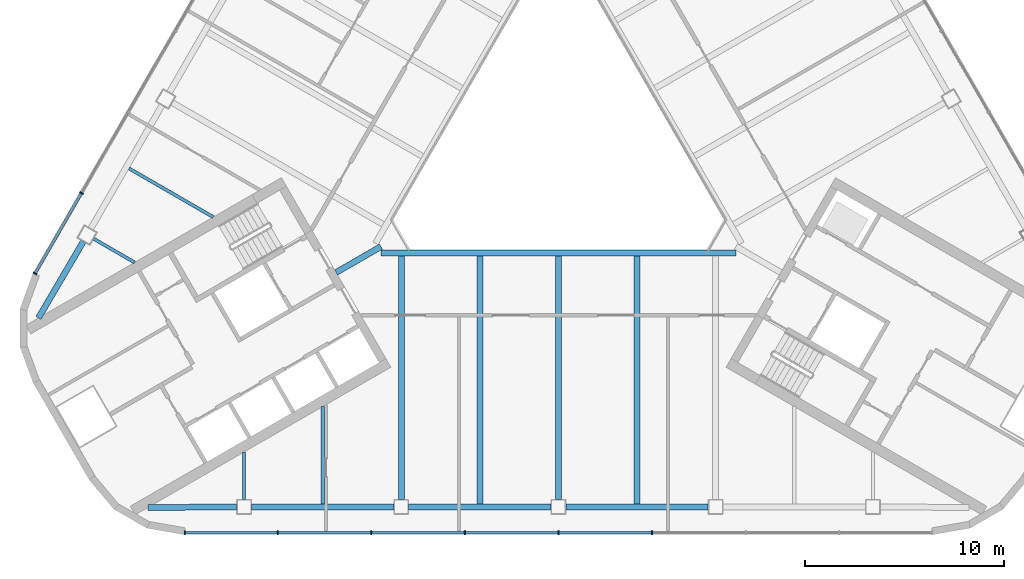
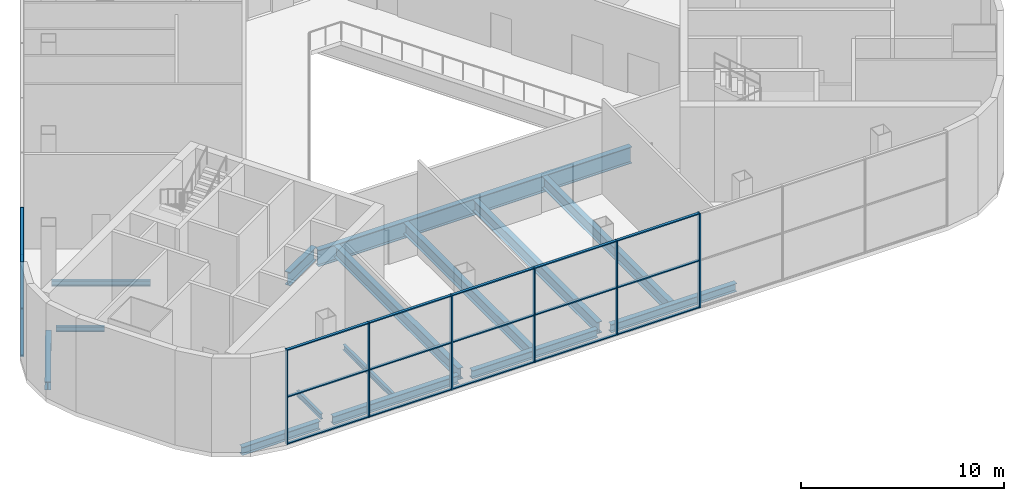
# One storey, part 2 of 14: 26 members, 15 beams, 2 elements without a shape of their own.
"""IFC4 building model written with IfcOpenShell, lengths in metres."""

from ifc_helpers import new_model, si_unit, direction, frame, origin, origin_2d, place, context, subcontext, project, spatial, rectangle, i_section, extrude, material, layer, layer_set, material_profile, profile_set, type_object, element, aggregate, save


model = new_model("IFC4")

# Units and contexts
model_context = context("Model", 3, precision=1e-05, world=origin(), true_north=direction((0.0, 1.0)))
body_context = subcontext(model_context, "Body", "Model", "MODEL_VIEW")
ifc_project = project(units=[si_unit("LENGTHUNIT", "METRE"), si_unit("AREAUNIT", "SQUARE_METRE"), si_unit("VOLUMEUNIT", "CUBIC_METRE"), si_unit("PLANEANGLEUNIT", "RADIAN"), si_unit("MASSUNIT", "GRAM", prefix="KILO")], contexts=[model_context])

# Site, building, storey
site_placement = place(None, origin())
site = spatial("IfcSite", under=ifc_project, at=site_placement, CompositionType="ELEMENT")
building_placement = place(site_placement, origin())
building = spatial("IfcBuilding", under=site, at=building_placement, Name="Apuvela Tower Hotel", CompositionType="ELEMENT")
storey_placement = place(building_placement, frame((0.0, 0.0, 231.699951171875)))
storey = spatial("IfcBuildingStorey", under=building, at=storey_placement, Name="L57", CompositionType="ELEMENT", Elevation=231.699951171875)

# Curtain wall, members
ifc_material_1 = material(Name="Aluminium 6063-T6, dark bronze anodised", Category="aluminium")
ifc_layer = layer(ifc_material_1, 0.199951171875)
ifc_layer_set = layer_set([ifc_layer], Name="ENV-CW-S")
curtain_wall_type = type_object("IfcCurtainWallType", Name="ENV-CW-S", PredefinedType="NOTDEFINED", material=ifc_layer_set)
curtain_wall_1_placement = place(storey_placement, origin())
curtain_wall_1 = element("IfcCurtainWall", 1, at=curtain_wall_1_placement, inside=storey, type_object=curtain_wall_type, Name="Curtain wall CW-S S L57", PredefinedType="NOTDEFINED")
ifc_material_profile_1 = material_profile(ifc_material_1, rectangle(XDim=0.199951171875, YDim=0.06494140625, at=origin_2d()), Name="AL 65x200")
ifc_profile_set_1 = profile_set([ifc_material_profile_1], Name="Aluminium 6063-T6, dark bronze anodised")
member_type_1 = type_object("IfcMemberType", Name="ENV-MULLION-65x200", PredefinedType="MULLION", material=ifc_profile_set_1)
member_1_placement = place(storey_placement, frame((-18.783203125, -19.530029296875, 0.0), z_axis=(0.0, 0.0, 1.0), x_axis=(0.0, 1.0, 0.0)))
member_1 = element("IfcMember", 2, at=member_1_placement, type_object=member_type_1, Name="CW-S mullion 1", PredefinedType="MULLION", context=body_context, shape_type="SweptSolid", body=[
    extrude(rectangle(XDim=0.199951171875, YDim=0.06494140625, at=origin_2d()), origin(), (0.0, 0.0, 1.0), 5.699951171875),
])
member_2_placement = place(storey_placement, frame((-14.11181640625, -19.530029296875, 0.0), z_axis=(0.0, 0.0, 1.0), x_axis=(0.0, 1.0, 0.0)))
member_2 = element("IfcMember", 3, at=member_2_placement, type_object=member_type_1, Name="CW-S mullion 2", PredefinedType="MULLION", context=body_context, shape_type="SweptSolid", body=[
    extrude(rectangle(XDim=0.199951171875, YDim=0.06494140625, at=origin_2d()), origin(), (0.0, 0.0, 1.0), 5.699951171875),
])
member_3_placement = place(storey_placement, frame((-9.407958984375, -19.530029296875, 0.0), z_axis=(0.0, 0.0, 1.0), x_axis=(0.0, 1.0, 0.0)))
member_3 = element("IfcMember", 4, at=member_3_placement, type_object=member_type_1, Name="CW-S mullion 3", PredefinedType="MULLION", context=body_context, shape_type="SweptSolid", body=[
    extrude(rectangle(XDim=0.199951171875, YDim=0.06494140625, at=origin_2d()), origin(), (0.0, 0.0, 1.0), 5.699951171875),
])
member_4_placement = place(storey_placement, frame((-4.703857421875, -19.530029296875, 0.0), z_axis=(0.0, 0.0, 1.0), x_axis=(0.0, 1.0, 0.0)))
member_4 = element("IfcMember", 5, at=member_4_placement, type_object=member_type_1, Name="CW-S mullion 4", PredefinedType="MULLION", context=body_context, shape_type="SweptSolid", body=[
    extrude(rectangle(XDim=0.199951171875, YDim=0.06494140625, at=origin_2d()), origin(), (0.0, 0.0, 1.0), 5.699951171875),
])
member_5_placement = place(storey_placement, frame((0.0, -19.530029296875, 0.0), z_axis=(0.0, 0.0, 1.0), x_axis=(0.0, 1.0, 0.0)))
member_5 = element("IfcMember", 6, at=member_5_placement, type_object=member_type_1, Name="CW-S mullion 5", PredefinedType="MULLION", context=body_context, shape_type="SweptSolid", body=[
    extrude(rectangle(XDim=0.199951171875, YDim=0.06494140625, at=origin_2d()), origin(), (0.0, 0.0, 1.0), 5.699951171875),
])
member_6_placement = place(storey_placement, frame((4.703857421875, -19.530029296875, 0.0), z_axis=(0.0, 0.0, 1.0), x_axis=(0.0, 1.0, 0.0)))
member_6 = element("IfcMember", 7, at=member_6_placement, type_object=member_type_1, Name="CW-S mullion 6", PredefinedType="MULLION", context=body_context, shape_type="SweptSolid", body=[
    extrude(rectangle(XDim=0.199951171875, YDim=0.06494140625, at=origin_2d()), origin(), (0.0, 0.0, 1.0), 5.699951171875),
])

curtain_wall_2_placement = place(storey_placement, origin())
curtain_wall_2 = element("IfcCurtainWall", 8, at=curtain_wall_2_placement, inside=storey, type_object=curtain_wall_type, Name="Curtain wall CW-S NW L57", PredefinedType="NOTDEFINED")
member_7_placement = place(storey_placement, frame((-23.969482421875, -2.456298828125, 0.0), z_axis=(0.0, 0.0, 1.0), x_axis=(0.866025924721, -0.49999909771, 0.0)))
member_7 = element("IfcMember", 9, at=member_7_placement, type_object=member_type_1, Name="CW-S mullion 8", PredefinedType="MULLION", context=body_context, shape_type="SweptSolid", body=[
    extrude(rectangle(XDim=0.199951171875, YDim=0.06494140625, at=origin_2d()), origin(), (0.0, 0.0, 1.0), 5.699951171875),
])
member_8_placement = place(storey_placement, frame((-26.30517578125, -6.501953125, 0.0), z_axis=(0.0, 0.0, 1.0), x_axis=(0.866025924721, -0.49999909771, 0.0)))
member_8 = element("IfcMember", 10, at=member_8_placement, type_object=member_type_1, Name="CW-S mullion 9", PredefinedType="MULLION", context=body_context, shape_type="SweptSolid", body=[
    extrude(rectangle(XDim=0.199951171875, YDim=0.06494140625, at=origin_2d()), origin(), (0.0, 0.0, 1.0), 5.699951171875),
])

# Member
ifc_material_profile_2 = material_profile(ifc_material_1, rectangle(XDim=0.14990234375, YDim=0.06494140625, at=origin_2d()), Name="AL 65x150 transom")
ifc_profile_set_2 = profile_set([ifc_material_profile_2], Name="Aluminium 6063-T6, dark bronze anodised")
member_type_2 = type_object("IfcMemberType", Name="ENV-TRANSOM-65x150", PredefinedType="USERDEFINED", material=ifc_profile_set_2)
member_9_placement = place(storey_placement, frame((-18.750732421875, -19.530029296875, 0.032470703125), z_axis=(1.0, 0.0, 0.0), x_axis=(0.0, 1.0, 0.0)))
member_9 = element("IfcMember", 11, at=member_9_placement, type_object=member_type_2, Name="CW-S transom 1.1", ObjectType="TRANSOM", PredefinedType="USERDEFINED", context=body_context, shape_type="SweptSolid", body=[
    extrude(rectangle(XDim=0.14990234375, YDim=0.06494140625, at=origin_2d()), origin(), (0.0, 0.0, 1.0), 4.6064453125),
])

member_10_placement = place(storey_placement, frame((-18.750732421875, -19.530029296875, 2.85009765625), z_axis=(1.0, 0.0, 0.0), x_axis=(0.0, 1.0, 0.0)))
member_10 = element("IfcMember", 12, at=member_10_placement, type_object=member_type_2, Name="CW-S transom 1.2", ObjectType="TRANSOM", PredefinedType="USERDEFINED", context=body_context, shape_type="SweptSolid", body=[
    extrude(rectangle(XDim=0.14990234375, YDim=0.06494140625, at=origin_2d()), origin(), (0.0, 0.0, 1.0), 4.6064453125),
])

member_11_placement = place(storey_placement, frame((-18.750732421875, -19.530029296875, 5.66748046875), z_axis=(1.0, 0.0, 0.0), x_axis=(0.0, 1.0, 0.0)))
member_11 = element("IfcMember", 13, at=member_11_placement, type_object=member_type_2, Name="CW-S transom 1.3", ObjectType="TRANSOM", PredefinedType="USERDEFINED", context=body_context, shape_type="SweptSolid", body=[
    extrude(rectangle(XDim=0.14990234375, YDim=0.06494140625, at=origin_2d()), origin(), (0.0, 0.0, 1.0), 4.6064453125),
])

member_12_placement = place(storey_placement, frame((-14.079345703125, -19.530029296875, 0.032470703125), z_axis=(1.0, 0.0, 0.0), x_axis=(0.0, 1.0, 0.0)))
member_12 = element("IfcMember", 14, at=member_12_placement, type_object=member_type_2, Name="CW-S transom 2.1", ObjectType="TRANSOM", PredefinedType="USERDEFINED", context=body_context, shape_type="SweptSolid", body=[
    extrude(rectangle(XDim=0.14990234375, YDim=0.06494140625, at=origin_2d()), origin(), (0.0, 0.0, 1.0), 4.638916015625),
])

member_13_placement = place(storey_placement, frame((-14.079345703125, -19.530029296875, 2.85009765625), z_axis=(1.0, 0.0, 0.0), x_axis=(0.0, 1.0, 0.0)))
member_13 = element("IfcMember", 15, at=member_13_placement, type_object=member_type_2, Name="CW-S transom 2.2", ObjectType="TRANSOM", PredefinedType="USERDEFINED", context=body_context, shape_type="SweptSolid", body=[
    extrude(rectangle(XDim=0.14990234375, YDim=0.06494140625, at=origin_2d()), origin(), (0.0, 0.0, 1.0), 4.638916015625),
])

member_14_placement = place(storey_placement, frame((-14.079345703125, -19.530029296875, 5.66748046875), z_axis=(1.0, 0.0, 0.0), x_axis=(0.0, 1.0, 0.0)))
member_14 = element("IfcMember", 16, at=member_14_placement, type_object=member_type_2, Name="CW-S transom 2.3", ObjectType="TRANSOM", PredefinedType="USERDEFINED", context=body_context, shape_type="SweptSolid", body=[
    extrude(rectangle(XDim=0.14990234375, YDim=0.06494140625, at=origin_2d()), origin(), (0.0, 0.0, 1.0), 4.638916015625),
])

member_15_placement = place(storey_placement, frame((-9.37548828125, -19.530029296875, 0.032470703125), z_axis=(1.0, 0.0, 0.0), x_axis=(0.0, 1.0, 0.0)))
member_15 = element("IfcMember", 17, at=member_15_placement, type_object=member_type_2, Name="CW-S transom 3.1", ObjectType="TRANSOM", PredefinedType="USERDEFINED", context=body_context, shape_type="SweptSolid", body=[
    extrude(rectangle(XDim=0.14990234375, YDim=0.06494140625, at=origin_2d()), origin(), (0.0, 0.0, 1.0), 4.63916015625),
])

member_16_placement = place(storey_placement, frame((-9.37548828125, -19.530029296875, 2.85009765625), z_axis=(1.0, 0.0, 0.0), x_axis=(0.0, 1.0, 0.0)))
member_16 = element("IfcMember", 18, at=member_16_placement, type_object=member_type_2, Name="CW-S transom 3.2", ObjectType="TRANSOM", PredefinedType="USERDEFINED", context=body_context, shape_type="SweptSolid", body=[
    extrude(rectangle(XDim=0.14990234375, YDim=0.06494140625, at=origin_2d()), origin(), (0.0, 0.0, 1.0), 4.63916015625),
])

member_17_placement = place(storey_placement, frame((-9.37548828125, -19.530029296875, 5.66748046875), z_axis=(1.0, 0.0, 0.0), x_axis=(0.0, 1.0, 0.0)))
member_17 = element("IfcMember", 19, at=member_17_placement, type_object=member_type_2, Name="CW-S transom 3.3", ObjectType="TRANSOM", PredefinedType="USERDEFINED", context=body_context, shape_type="SweptSolid", body=[
    extrude(rectangle(XDim=0.14990234375, YDim=0.06494140625, at=origin_2d()), origin(), (0.0, 0.0, 1.0), 4.63916015625),
])

member_18_placement = place(storey_placement, frame((-4.67138671875, -19.530029296875, 0.032470703125), z_axis=(1.0, 0.0, 0.0), x_axis=(0.0, 1.0, 0.0)))
member_18 = element("IfcMember", 20, at=member_18_placement, type_object=member_type_2, Name="CW-S transom 4.1", ObjectType="TRANSOM", PredefinedType="USERDEFINED", context=body_context, shape_type="SweptSolid", body=[
    extrude(rectangle(XDim=0.14990234375, YDim=0.06494140625, at=origin_2d()), origin(), (0.0, 0.0, 1.0), 4.638916015625),
])

member_19_placement = place(storey_placement, frame((-4.67138671875, -19.530029296875, 2.85009765625), z_axis=(1.0, 0.0, 0.0), x_axis=(0.0, 1.0, 0.0)))
member_19 = element("IfcMember", 21, at=member_19_placement, type_object=member_type_2, Name="CW-S transom 4.2", ObjectType="TRANSOM", PredefinedType="USERDEFINED", context=body_context, shape_type="SweptSolid", body=[
    extrude(rectangle(XDim=0.14990234375, YDim=0.06494140625, at=origin_2d()), origin(), (0.0, 0.0, 1.0), 4.638916015625),
])

member_20_placement = place(storey_placement, frame((-4.67138671875, -19.530029296875, 5.66748046875), z_axis=(1.0, 0.0, 0.0), x_axis=(0.0, 1.0, 0.0)))
member_20 = element("IfcMember", 22, at=member_20_placement, type_object=member_type_2, Name="CW-S transom 4.3", ObjectType="TRANSOM", PredefinedType="USERDEFINED", context=body_context, shape_type="SweptSolid", body=[
    extrude(rectangle(XDim=0.14990234375, YDim=0.06494140625, at=origin_2d()), origin(), (0.0, 0.0, 1.0), 4.638916015625),
])

member_21_placement = place(storey_placement, frame((0.032470703125, -19.530029296875, 0.032470703125), z_axis=(1.0, 0.0, 0.0), x_axis=(0.0, 1.0, 0.0)))
member_21 = element("IfcMember", 23, at=member_21_placement, type_object=member_type_2, Name="CW-S transom 5.1", ObjectType="TRANSOM", PredefinedType="USERDEFINED", context=body_context, shape_type="SweptSolid", body=[
    extrude(rectangle(XDim=0.14990234375, YDim=0.06494140625, at=origin_2d()), origin(), (0.0, 0.0, 1.0), 4.638916015625),
])

member_22_placement = place(storey_placement, frame((0.032470703125, -19.530029296875, 2.85009765625), z_axis=(1.0, 0.0, 0.0), x_axis=(0.0, 1.0, 0.0)))
member_22 = element("IfcMember", 24, at=member_22_placement, type_object=member_type_2, Name="CW-S transom 5.2", ObjectType="TRANSOM", PredefinedType="USERDEFINED", context=body_context, shape_type="SweptSolid", body=[
    extrude(rectangle(XDim=0.14990234375, YDim=0.06494140625, at=origin_2d()), origin(), (0.0, 0.0, 1.0), 4.638916015625),
])

member_23_placement = place(storey_placement, frame((0.032470703125, -19.530029296875, 5.66748046875), z_axis=(1.0, 0.0, 0.0), x_axis=(0.0, 1.0, 0.0)))
member_23 = element("IfcMember", 25, at=member_23_placement, type_object=member_type_2, Name="CW-S transom 5.3", ObjectType="TRANSOM", PredefinedType="USERDEFINED", context=body_context, shape_type="SweptSolid", body=[
    extrude(rectangle(XDim=0.14990234375, YDim=0.06494140625, at=origin_2d()), origin(), (0.0, 0.0, 1.0), 4.638916015625),
])

aggregate(curtain_wall_1, [member_1, member_2, member_3, member_4, member_5, member_6, member_9, member_10, member_11, member_12, member_13, member_14, member_15, member_16, member_17, member_18, member_19, member_20, member_21, member_22, member_23])

member_24_placement = place(storey_placement, frame((-23.985595703125, -2.484375, 0.032470703125), z_axis=(-0.500003839917, -0.866023186796, 0.0), x_axis=(0.866023186796, -0.500003839917, 0.0)))
member_24 = element("IfcMember", 26, at=member_24_placement, type_object=member_type_2, Name="CW-S transom 8.1", ObjectType="TRANSOM", PredefinedType="USERDEFINED", context=body_context, shape_type="SweptSolid", body=[
    extrude(rectangle(XDim=0.14990234375, YDim=0.06494140625, at=origin_2d()), origin(), (0.0, 0.0, 1.0), 4.6064453125),
])

member_25_placement = place(storey_placement, frame((-23.985595703125, -2.484375, 2.85009765625), z_axis=(-0.500003839917, -0.866023186796, 0.0), x_axis=(0.866023186796, -0.500003839917, 0.0)))
member_25 = element("IfcMember", 27, at=member_25_placement, type_object=member_type_2, Name="CW-S transom 8.2", ObjectType="TRANSOM", PredefinedType="USERDEFINED", context=body_context, shape_type="SweptSolid", body=[
    extrude(rectangle(XDim=0.14990234375, YDim=0.06494140625, at=origin_2d()), origin(), (0.0, 0.0, 1.0), 4.6064453125),
])

member_26_placement = place(storey_placement, frame((-23.985595703125, -2.484375, 5.66748046875), z_axis=(-0.500003839917, -0.866023186796, 0.0), x_axis=(0.866023186796, -0.500003839917, 0.0)))
member_26 = element("IfcMember", 28, at=member_26_placement, type_object=member_type_2, Name="CW-S transom 8.3", ObjectType="TRANSOM", PredefinedType="USERDEFINED", context=body_context, shape_type="SweptSolid", body=[
    extrude(rectangle(XDim=0.14990234375, YDim=0.06494140625, at=origin_2d()), origin(), (0.0, 0.0, 1.0), 4.6064453125),
])

aggregate(curtain_wall_2, [member_7, member_8, member_24, member_25, member_26])

# Beams
ifc_material_2 = material(Name="Steel S355", Category="steel")
ifc_material_profile_3 = material_profile(ifc_material_2, i_section(OverallWidth=0.300048828125, OverallDepth=0.68994140625, WebThickness=0.014404296875, FlangeThickness=0.027099609375, at=origin_2d()), Name="HE 700 A")
ifc_profile_set_3 = profile_set([ifc_material_profile_3], Name="Steel S355")
beam_type_1 = type_object("IfcBeamType", Name="STR-B floor beam HE 700 A", PredefinedType="BEAM", material=ifc_profile_set_3)
beam_1_placement = place(storey_placement, frame((-7.89990234375, -17.85498046875, -0.594970703125), z_axis=(0.0, 1.0, 0.0), x_axis=(-1.0, 0.0, 0.0)))
element("IfcBeam", 29, at=beam_1_placement, inside=storey, type_object=beam_type_1, Name="Floor beam B6 S3", PredefinedType="BEAM", context=body_context, shape_type="SweptSolid", body=[
    extrude(i_section(OverallWidth=0.300048828125, OverallDepth=0.68994140625, WebThickness=0.014404296875, FlangeThickness=0.027099609375, at=origin_2d()), origin(), (0.0, 0.0, 1.0), 12.23486328125),
])
beam_2_placement = place(storey_placement, frame((-3.949951171875, -18.080078125, -0.594970703125), z_axis=(0.0, 1.0, 0.0), x_axis=(-1.0, 0.0, 0.0)))
element("IfcBeam", 30, at=beam_2_placement, inside=storey, type_object=beam_type_1, Name="Floor beam B6 S4", PredefinedType="BEAM", context=body_context, shape_type="SweptSolid", body=[
    extrude(i_section(OverallWidth=0.300048828125, OverallDepth=0.68994140625, WebThickness=0.014404296875, FlangeThickness=0.027099609375, at=origin_2d()), origin(), (0.0, 0.0, 1.0), 12.4599609375),
])
beam_3_placement = place(storey_placement, frame((0.0, -17.85498046875, -0.594970703125), z_axis=(0.0, 1.0, 0.0), x_axis=(-1.0, 0.0, 0.0)))
element("IfcBeam", 31, at=beam_3_placement, inside=storey, type_object=beam_type_1, Name="Floor beam B6 S5", PredefinedType="BEAM", context=body_context, shape_type="SweptSolid", body=[
    extrude(i_section(OverallWidth=0.300048828125, OverallDepth=0.68994140625, WebThickness=0.014404296875, FlangeThickness=0.027099609375, at=origin_2d()), origin(), (0.0, 0.0, 1.0), 12.23486328125),
])
beam_4_placement = place(storey_placement, frame((3.949951171875, -18.080078125, -0.594970703125), z_axis=(0.0, 1.0, 0.0), x_axis=(-1.0, 0.0, 0.0)))
element("IfcBeam", 32, at=beam_4_placement, inside=storey, type_object=beam_type_1, Name="Floor beam B6 S6", PredefinedType="BEAM", context=body_context, shape_type="SweptSolid", body=[
    extrude(i_section(OverallWidth=0.300048828125, OverallDepth=0.68994140625, WebThickness=0.014404296875, FlangeThickness=0.027099609375, at=origin_2d()), origin(), (0.0, 0.0, 1.0), 12.4599609375),
])
ifc_material_profile_4 = material_profile(ifc_material_2, i_section(OverallWidth=0.159912109375, OverallDepth=0.330078125, WebThickness=0.007568359375, FlangeThickness=0.011474609375, at=origin_2d()), Name="IPE 330")
ifc_profile_set_4 = profile_set([ifc_material_profile_4], Name="Steel S355")
beam_type_2 = type_object("IfcBeamType", Name="STR-B floor beam IPE 330", PredefinedType="BEAM", material=ifc_profile_set_4)
beam_5_placement = place(storey_placement, frame((-21.582763671875, -1.222412109375, -0.4150390625), z_axis=(0.866015056278, -0.500017921979, 0.0), x_axis=(0.500017921979, 0.866015056278, 0.0)))
element("IfcBeam", 33, at=beam_5_placement, inside=storey, type_object=beam_type_2, Name="Floor beam B1 NW8", PredefinedType="BEAM", context=body_context, shape_type="SweptSolid", body=[
    extrude(i_section(OverallWidth=0.159912109375, OverallDepth=0.330078125, WebThickness=0.007568359375, FlangeThickness=0.011474609375, at=origin_2d()), origin(), (0.0, 0.0, 1.0), 4.887451171875),
])
for number, where, z_axis, x_axis, name in (
    (34, (-23.36279296875, -4.755615234375, -0.4150390625), (0.865982457891, -0.500074377092, 0.0), (0.500074377092, 0.865982457891, 0.0), "Floor beam B1 NW9"),
    (35, (-15.800048828125, -17.85498046875, -0.4150390625), (0.0, 1.0, 0.0), (-1.0, 0.0, 0.0), "Floor beam B1 S1"),
):
    element("IfcBeam", number, at=place(storey_placement, frame(where, z_axis=z_axis, x_axis=x_axis)), inside=storey, type_object=beam_type_2, Name=name, PredefinedType="BEAM", context=body_context, shape_type="SweptSolid", body=[
        extrude(i_section(OverallWidth=0.159912109375, OverallDepth=0.330078125, WebThickness=0.007568359375, FlangeThickness=0.011474609375, at=origin_2d()), origin(), (0.0, 0.0, 1.0), 2.382080078125),
    ])
beam_6_placement = place(storey_placement, frame((-11.85009765625, -18.080078125, -0.4150390625), z_axis=(0.0, 1.0, 0.0), x_axis=(-1.0, 0.0, 0.0)))
element("IfcBeam", 36, at=beam_6_placement, inside=storey, type_object=beam_type_2, Name="Floor beam B1 S2", PredefinedType="BEAM", context=body_context, shape_type="SweptSolid", body=[
    extrude(i_section(OverallWidth=0.159912109375, OverallDepth=0.330078125, WebThickness=0.007568359375, FlangeThickness=0.011474609375, at=origin_2d()), origin(), (0.0, 0.0, 1.0), 4.8876953125),
])
ifc_material_profile_5 = material_profile(ifc_material_2, i_section(OverallWidth=0.300048828125, OverallDepth=1.0, WebThickness=0.01904296875, FlangeThickness=0.035888671875, at=origin_2d()), Name="HE 1000 B")
ifc_profile_set_5 = profile_set([ifc_material_profile_5], Name="Steel S355")
beam_type_3 = type_object("IfcBeamType", Name="STR-G atrium ring girder HE 1000 B", PredefinedType="BEAM", material=ifc_profile_set_5)
beam_7_placement = place(storey_placement, frame((-8.91455078125, -5.469970703125, -0.75), z_axis=(1.0, 0.0, 0.0), x_axis=(0.0, 1.0, 0.0)))
element("IfcBeam", 37, at=beam_7_placement, inside=storey, type_object=beam_type_3, Name="Atrium ring girder G2 SW-SE", PredefinedType="BEAM", context=body_context, shape_type="SweptSolid", body=[
    extrude(i_section(OverallWidth=0.300048828125, OverallDepth=1.0, WebThickness=0.01904296875, FlangeThickness=0.035888671875, at=origin_2d()), origin(), (0.0, 0.0, 1.0), 17.8291015625),
])
ifc_material_profile_6 = material_profile(ifc_material_2, i_section(OverallWidth=0.300048828125, OverallDepth=0.800048828125, WebThickness=0.017578125, FlangeThickness=0.032958984375, at=origin_2d()), Name="HE 800 B")
ifc_profile_set_6 = profile_set([ifc_material_profile_6], Name="Steel S355")
beam_type_4 = type_object("IfcBeamType", Name="STR-GT core tie beam HE 800 B", PredefinedType="BEAM", material=ifc_profile_set_6)
beam_8_placement = place(storey_placement, frame((-11.171630859375, -6.449951171875, -0.64990234375), z_axis=(0.865997922154, 0.500047596559, 0.0), x_axis=(-0.500047596559, 0.865997922154, 0.0)))
element("IfcBeam", 38, at=beam_8_placement, inside=storey, type_object=beam_type_4, Name="Core tie beam GT1 SW", PredefinedType="BEAM", context=body_context, shape_type="SweptSolid", body=[
    extrude(i_section(OverallWidth=0.300048828125, OverallDepth=0.800048828125, WebThickness=0.017578125, FlangeThickness=0.032958984375, at=origin_2d()), origin(), (0.0, 0.0, 1.0), 2.599853515625),
])
ifc_material_profile_7 = material_profile(ifc_material_2, i_section(OverallWidth=0.300048828125, OverallDepth=0.489990234375, WebThickness=0.011962890625, FlangeThickness=0.02294921875, at=origin_2d()), Name="HE 500 A")
ifc_profile_set_7 = profile_set([ifc_material_profile_7], Name="Steel S355")
beam_type_5 = type_object("IfcBeamType", Name="STR-SB spandrel beam HE 500 A", PredefinedType="SPANDREL", material=ifc_profile_set_7)
beam_9_placement = place(storey_placement, frame((-15.425048828125, -18.22998046875, -0.494873046875), z_axis=(1.0, 0.0, 0.0), x_axis=(0.0, 1.0, 0.0)))
element("IfcBeam", 39, at=beam_9_placement, inside=storey, type_object=beam_type_5, Name="Spandrel beam SB3 S1", PredefinedType="SPANDREL", context=body_context, shape_type="SweptSolid", body=[
    extrude(i_section(OverallWidth=0.300048828125, OverallDepth=0.489990234375, WebThickness=0.011962890625, FlangeThickness=0.02294921875, at=origin_2d()), origin(), (0.0, 0.0, 1.0), 7.150146484375),
])
for number, where, z_axis, x_axis, name in (
    (40, (-7.52490234375, -18.22998046875, -0.494873046875), (1.0, 0.0, 0.0), (0.0, 1.0, 0.0), "Spandrel beam SB3 S2"),
    (41, (0.375, -18.22998046875, -0.494873046875), (1.0, 0.0, 0.0), (0.0, 1.0, 0.0), "Spandrel beam SB3 S3"),
):
    element("IfcBeam", number, at=place(storey_placement, frame(where, z_axis=z_axis, x_axis=x_axis)), inside=storey, type_object=beam_type_5, Name=name, PredefinedType="SPANDREL", context=body_context, shape_type="SweptSolid", body=[
        extrude(i_section(OverallWidth=0.300048828125, OverallDepth=0.489990234375, WebThickness=0.011962890625, FlangeThickness=0.02294921875, at=origin_2d()), origin(), (0.0, 0.0, 1.0), 7.14990234375),
    ])
for number, where, z_axis, x_axis, name in (
    (42, (-16.175048828125, -18.232666015625, -0.494873046875), (-0.999976567383, -0.006845778571, 0.0), (0.006845778571, -0.999976567383, 0.0), "Spandrel beam SB3 S1-SW"),
    (43, (-23.87744140625, -4.8916015625, -0.494873046875), (-0.505933122104, -0.862572707636, 0.0), (0.862572707636, -0.505933122104, 0.0), "Spandrel beam SB3 NW5-SW"),
):
    element("IfcBeam", number, at=place(storey_placement, frame(where, z_axis=z_axis, x_axis=x_axis)), inside=storey, type_object=beam_type_5, Name=name, PredefinedType="SPANDREL", context=body_context, shape_type="SweptSolid", body=[
        extrude(i_section(OverallWidth=0.300048828125, OverallDepth=0.489990234375, WebThickness=0.011962890625, FlangeThickness=0.02294921875, at=origin_2d()), origin(), (0.0, 0.0, 1.0), 4.457763671875),
    ])

save(model, "model.ifc")
